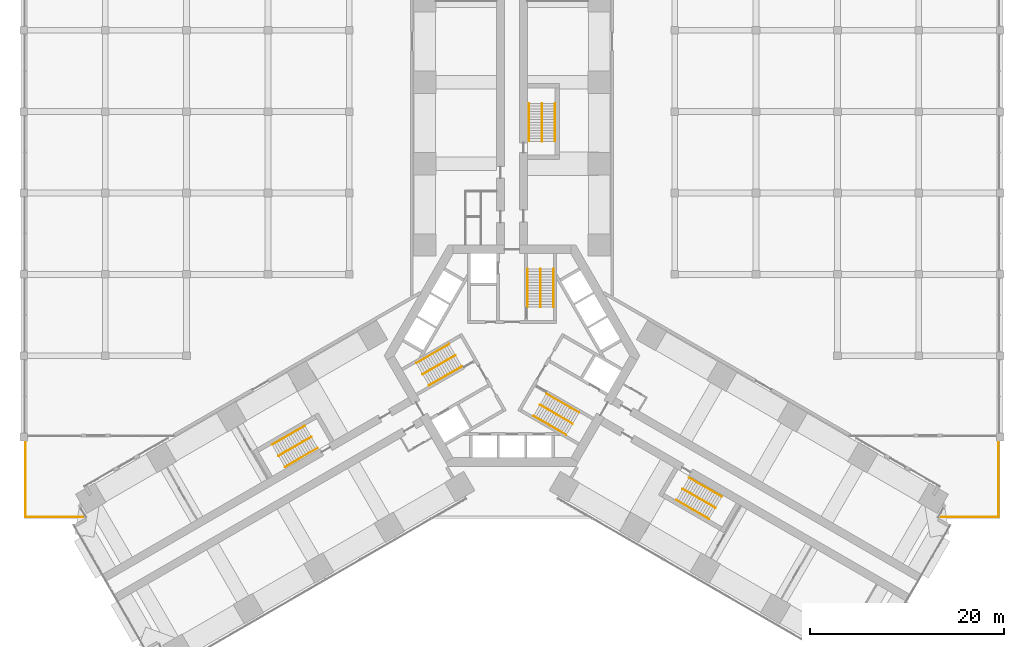
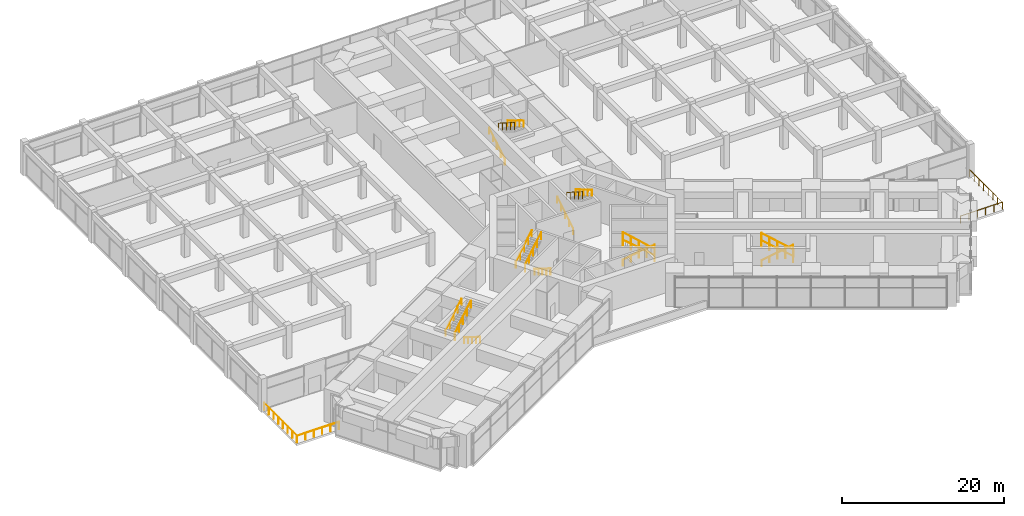
# One storey, part 33 of 33: 20 railings.
"""IFC4 building model written with IfcOpenShell, lengths in metres."""

from ifc_helpers import new_model, si_unit, direction, frame, origin, origin_2d, place, context, subcontext, project, spatial, circle, extrude, material, type_object, element, save


model = new_model("IFC4")

# Units and contexts
model_context = context("Model", 3, precision=1e-05, world=origin(), true_north=direction((0.0, 1.0)))
body_context = subcontext(model_context, "Body", "Model", "MODEL_VIEW")
ifc_project = project(units=[si_unit("LENGTHUNIT", "METRE"), si_unit("AREAUNIT", "SQUARE_METRE"), si_unit("VOLUMEUNIT", "CUBIC_METRE"), si_unit("PLANEANGLEUNIT", "RADIAN"), si_unit("MASSUNIT", "GRAM", prefix="KILO")], contexts=[model_context])

# Site, building, storey
site_placement = place(None, origin())
site = spatial("IfcSite", under=ifc_project, at=site_placement, CompositionType="ELEMENT")
building_placement = place(site_placement, origin())
building = spatial("IfcBuilding", under=site, at=building_placement, Name="Impinga Residences", CompositionType="ELEMENT")
storey_placement = place(building_placement, frame((0.0, 0.0, 21.0)))
storey = spatial("IfcBuildingStorey", under=building, at=storey_placement, Name="L04", CompositionType="ELEMENT", Elevation=21.0)

# Railings
ifc_material_1 = material(Name="Steel guard, powder coated", Category="steel")
railing_type_1 = type_object("IfcRailingType", Name="GR1 stair guard 1100", PredefinedType="GUARDRAIL", material=ifc_material_1)
railing_1_placement = place(storey_placement, frame((2.949951171875, 8.949951171875, 2.5)))
element("IfcRailing", 1, at=railing_1_placement, inside=storey, type_object=railing_type_1, Name="Stair guard GR1 ST1 L04", PredefinedType="GUARDRAIL", context=body_context, shape_type="SweptSolid", body=[
    extrude(circle(Radius=0.02392578125, at=origin_2d()), frame((0.0, 0.0, 1.076171875), z_axis=(0.0, -0.843124831705, 0.537717879712), x_axis=(1.0, 0.0, 0.0)), (0.0, 0.0, 1.0), 4.649169921875),
    extrude(circle(Radius=0.02099609375, at=origin_2d()), origin(), (0.0, 0.0, 1.0), 1.052001953125),
    extrude(circle(Radius=0.02099609375, at=origin_2d()), frame((0.0, -0.97998046875, 0.625)), (0.0, 0.0, 1.0), 1.052001953125),
    extrude(circle(Radius=0.02099609375, at=origin_2d()), frame((0.0, -1.9599609375, 1.25)), (0.0, 0.0, 1.0), 1.052001953125),
    extrude(circle(Radius=0.02099609375, at=origin_2d()), frame((0.0, -2.93994140625, 1.875)), (0.0, 0.0, 1.0), 1.052001953125),
    extrude(circle(Radius=0.02099609375, at=origin_2d()), frame((0.0, -3.919921875, 2.5)), (0.0, 0.0, 1.0), 1.052001953125),
])
railing_2_placement = place(storey_placement, frame((-9.225830078125, -1.920166015625, 2.5)))
element("IfcRailing", 2, at=railing_2_placement, inside=storey, type_object=railing_type_1, Name="Stair guard GR1 ST2 L04", PredefinedType="GUARDRAIL", context=body_context, shape_type="SweptSolid", body=[
    extrude(circle(Radius=0.02392578125, at=origin_2d()), frame((0.0, 0.0, 1.076171875), z_axis=(0.730169879136, 0.421560862259, 0.537715898048), x_axis=(-0.499997407846, 0.86602690036, 0.0)), (0.0, 0.0, 1.0), 4.6494140625),
    extrude(circle(Radius=0.02099609375, at=origin_2d()), origin(), (0.0, 0.0, 1.0), 1.052001953125),
    extrude(circle(Radius=0.02099609375, at=origin_2d()), frame((0.8486328125, 0.489990234375, 0.625)), (0.0, 0.0, 1.0), 1.052001953125),
    extrude(circle(Radius=0.02099609375, at=origin_2d()), frame((1.697265625, 0.97998046875, 1.25)), (0.0, 0.0, 1.0), 1.052001953125),
    extrude(circle(Radius=0.02099609375, at=origin_2d()), frame((2.546142578125, 1.469970703125, 1.875)), (0.0, 0.0, 1.0), 1.052001953125),
    extrude(circle(Radius=0.02099609375, at=origin_2d()), frame((3.394775390625, 1.9599609375, 2.5)), (0.0, 0.0, 1.0), 1.052001953125),
])
railing_3_placement = place(storey_placement, frame((6.27587890625, -7.02978515625, 2.5)))
element("IfcRailing", 3, at=railing_3_placement, inside=storey, type_object=railing_type_1, Name="Stair guard GR1 ST3 L04", PredefinedType="GUARDRAIL", context=body_context, shape_type="SweptSolid", body=[
    extrude(circle(Radius=0.02392578125, at=origin_2d()), frame((0.0, 0.0, 1.076171875), z_axis=(-0.730169879136, 0.421560862259, 0.537715898048), x_axis=(-0.499997407846, -0.86602690036, 0.0)), (0.0, 0.0, 1.0), 4.6494140625),
    extrude(circle(Radius=0.02099609375, at=origin_2d()), origin(), (0.0, 0.0, 1.0), 1.052001953125),
    extrude(circle(Radius=0.02099609375, at=origin_2d()), frame((-0.8486328125, 0.489990234375, 0.625)), (0.0, 0.0, 1.0), 1.052001953125),
    extrude(circle(Radius=0.02099609375, at=origin_2d()), frame((-1.697265625, 0.97998046875, 1.25)), (0.0, 0.0, 1.0), 1.052001953125),
    extrude(circle(Radius=0.02099609375, at=origin_2d()), frame((-2.546142578125, 1.469970703125, 1.875)), (0.0, 0.0, 1.0), 1.052001953125),
    extrude(circle(Radius=0.02099609375, at=origin_2d()), frame((-3.394775390625, 1.9599609375, 2.5)), (0.0, 0.0, 1.0), 1.052001953125),
])
railing_4_placement = place(storey_placement, frame((3.10009765625, 26.051513671875, 2.5)))
element("IfcRailing", 4, at=railing_4_placement, inside=storey, type_object=railing_type_1, Name="Stair guard GR1 WS1 L04", PredefinedType="GUARDRAIL", context=body_context, shape_type="SweptSolid", body=[
    extrude(circle(Radius=0.02392578125, at=origin_2d()), frame((0.0, 0.0, 1.076171875), z_axis=(0.0, -0.843124831705, 0.537717879712), x_axis=(1.0, 0.0, 0.0)), (0.0, 0.0, 1.0), 4.649169921875),
    extrude(circle(Radius=0.02099609375, at=origin_2d()), origin(), (0.0, 0.0, 1.0), 1.052001953125),
    extrude(circle(Radius=0.02099609375, at=origin_2d()), frame((0.0, -0.97998046875, 0.625)), (0.0, 0.0, 1.0), 1.052001953125),
    extrude(circle(Radius=0.02099609375, at=origin_2d()), frame((0.0, -1.9599609375, 1.25)), (0.0, 0.0, 1.0), 1.052001953125),
    extrude(circle(Radius=0.02099609375, at=origin_2d()), frame((0.0, -2.93994140625, 1.875)), (0.0, 0.0, 1.0), 1.052001953125),
    extrude(circle(Radius=0.02099609375, at=origin_2d()), frame((0.0, -3.919921875, 2.5)), (0.0, 0.0, 1.0), 1.052001953125),
])
railing_5_placement = place(storey_placement, frame((-24.111328125, -10.341064453125, 2.5)))
element("IfcRailing", 5, at=railing_5_placement, inside=storey, type_object=railing_type_1, Name="Stair guard GR1 WS2 L04", PredefinedType="GUARDRAIL", context=body_context, shape_type="SweptSolid", body=[
    extrude(circle(Radius=0.02392578125, at=origin_2d()), frame((0.0, 0.0, 1.076171875), z_axis=(0.730169879136, 0.421560862259, 0.537715898048), x_axis=(-0.499997407846, 0.86602690036, 0.0)), (0.0, 0.0, 1.0), 4.6494140625),
    extrude(circle(Radius=0.02099609375, at=origin_2d()), origin(), (0.0, 0.0, 1.0), 1.052001953125),
    extrude(circle(Radius=0.02099609375, at=origin_2d()), frame((0.8486328125, 0.489990234375, 0.625)), (0.0, 0.0, 1.0), 1.052001953125),
    extrude(circle(Radius=0.02099609375, at=origin_2d()), frame((1.697265625, 0.97998046875, 1.25)), (0.0, 0.0, 1.0), 1.052001953125),
    extrude(circle(Radius=0.02099609375, at=origin_2d()), frame((2.546142578125, 1.469970703125, 1.875)), (0.0, 0.0, 1.0), 1.052001953125),
    extrude(circle(Radius=0.02099609375, at=origin_2d()), frame((3.394775390625, 1.9599609375, 2.5)), (0.0, 0.0, 1.0), 1.052001953125),
])
railing_6_placement = place(storey_placement, frame((21.01123046875, -15.71044921875, 2.5)))
element("IfcRailing", 6, at=railing_6_placement, inside=storey, type_object=railing_type_1, Name="Stair guard GR1 WS3 L04", PredefinedType="GUARDRAIL", context=body_context, shape_type="SweptSolid", body=[
    extrude(circle(Radius=0.02392578125, at=origin_2d()), frame((0.0, 0.0, 1.076171875), z_axis=(-0.730169879136, 0.421560862259, 0.537715898048), x_axis=(-0.499997407846, -0.86602690036, 0.0)), (0.0, 0.0, 1.0), 4.6494140625),
    extrude(circle(Radius=0.02099609375, at=origin_2d()), origin(), (0.0, 0.0, 1.0), 1.052001953125),
    extrude(circle(Radius=0.02099609375, at=origin_2d()), frame((-0.8486328125, 0.489990234375, 0.625)), (0.0, 0.0, 1.0), 1.052001953125),
    extrude(circle(Radius=0.02099609375, at=origin_2d()), frame((-1.697265625, 0.97998046875, 1.25)), (0.0, 0.0, 1.0), 1.052001953125),
    extrude(circle(Radius=0.02099609375, at=origin_2d()), frame((-2.546142578125, 1.469970703125, 1.875)), (0.0, 0.0, 1.0), 1.052001953125),
    extrude(circle(Radius=0.02099609375, at=origin_2d()), frame((-3.394775390625, 1.9599609375, 2.5)), (0.0, 0.0, 1.0), 1.052001953125),
])
ifc_material_2 = material(Name="Laminated glass guard, stainless steel top rail", Category="steel")
railing_type_2 = type_object("IfcRailingType", Name="GT1 terrace guard 1100, glass infill", PredefinedType="GUARDRAIL", material=ifc_material_2)
railing_7_placement = place(storey_placement, frame((-44.29150390625, -16.64990234375, 0.0)))
element("IfcRailing", 7, at=railing_7_placement, inside=storey, type_object=railing_type_2, Name="Terrace guard GT1 L04", PredefinedType="GUARDRAIL", context=body_context, shape_type="SweptSolid", body=[
    extrude(circle(Radius=0.02392578125, at=origin_2d()), frame((0.0, 0.0, 1.076171875), z_axis=(-1.0, 0.0, 0.0), x_axis=(0.0, -1.0, 0.0)), (0.0, 0.0, 1.0), 5.95849609375),
    extrude(circle(Radius=0.02392578125, at=origin_2d()), frame((-5.95849609375, 0.0, 1.076171875), z_axis=(0.0, 1.0, 0.0), x_axis=(-1.0, 0.0, 0.0)), (0.0, 0.0, 1.0), 8.098876953125),
    extrude(circle(Radius=0.02099609375, at=origin_2d()), origin(), (0.0, 0.0, 1.0), 1.052001953125),
    extrude(circle(Radius=0.02099609375, at=origin_2d()), frame((-1.191650390625, 0.0, 0.0)), (0.0, 0.0, 1.0), 1.052001953125),
    extrude(circle(Radius=0.02099609375, at=origin_2d()), frame((-2.38330078125, 0.0, 0.0)), (0.0, 0.0, 1.0), 1.052001953125),
    extrude(circle(Radius=0.02099609375, at=origin_2d()), frame((-3.5751953125, 0.0, 0.0)), (0.0, 0.0, 1.0), 1.052001953125),
    extrude(circle(Radius=0.02099609375, at=origin_2d()), frame((-4.766845703125, 0.0, 0.0)), (0.0, 0.0, 1.0), 1.052001953125),
    extrude(circle(Radius=0.02099609375, at=origin_2d()), frame((-5.95849609375, 0.0, 0.0)), (0.0, 0.0, 1.0), 1.052001953125),
    extrude(circle(Radius=0.02099609375, at=origin_2d()), frame((-5.95849609375, 1.156982421875, 0.0)), (0.0, 0.0, 1.0), 1.052001953125),
    extrude(circle(Radius=0.02099609375, at=origin_2d()), frame((-5.95849609375, 2.31396484375, 0.0)), (0.0, 0.0, 1.0), 1.052001953125),
    extrude(circle(Radius=0.02099609375, at=origin_2d()), frame((-5.95849609375, 3.470947265625, 0.0)), (0.0, 0.0, 1.0), 1.052001953125),
    extrude(circle(Radius=0.02099609375, at=origin_2d()), frame((-5.95849609375, 4.6279296875, 0.0)), (0.0, 0.0, 1.0), 1.052001953125),
    extrude(circle(Radius=0.02099609375, at=origin_2d()), frame((-5.95849609375, 5.784912109375, 0.0)), (0.0, 0.0, 1.0), 1.052001953125),
    extrude(circle(Radius=0.02099609375, at=origin_2d()), frame((-5.95849609375, 6.94189453125, 0.0)), (0.0, 0.0, 1.0), 1.052001953125),
    extrude(circle(Radius=0.02099609375, at=origin_2d()), frame((-5.95849609375, 8.098876953125, 0.0)), (0.0, 0.0, 1.0), 1.052001953125),
])
railing_8_placement = place(storey_placement, frame((50.25, -8.551025390625, 0.0)))
element("IfcRailing", 8, at=railing_8_placement, inside=storey, type_object=railing_type_2, Name="Terrace guard GT1 L04", PredefinedType="GUARDRAIL", context=body_context, shape_type="SweptSolid", body=[
    extrude(circle(Radius=0.02392578125, at=origin_2d()), frame((0.0, 0.0, 1.076171875), z_axis=(0.0, -1.0, 0.0), x_axis=(1.0, 0.0, 0.0)), (0.0, 0.0, 1.0), 8.098876953125),
    extrude(circle(Radius=0.02392578125, at=origin_2d()), frame((0.0, -8.098876953125, 1.076171875), z_axis=(-1.0, 0.0, 0.0), x_axis=(0.0, -1.0, 0.0)), (0.0, 0.0, 1.0), 5.95849609375),
    extrude(circle(Radius=0.02099609375, at=origin_2d()), origin(), (0.0, 0.0, 1.0), 1.052001953125),
    extrude(circle(Radius=0.02099609375, at=origin_2d()), frame((0.0, -1.156982421875, 0.0)), (0.0, 0.0, 1.0), 1.052001953125),
    extrude(circle(Radius=0.02099609375, at=origin_2d()), frame((0.0, -2.31396484375, 0.0)), (0.0, 0.0, 1.0), 1.052001953125),
    extrude(circle(Radius=0.02099609375, at=origin_2d()), frame((0.0, -3.470947265625, 0.0)), (0.0, 0.0, 1.0), 1.052001953125),
    extrude(circle(Radius=0.02099609375, at=origin_2d()), frame((0.0, -4.6279296875, 0.0)), (0.0, 0.0, 1.0), 1.052001953125),
    extrude(circle(Radius=0.02099609375, at=origin_2d()), frame((0.0, -5.784912109375, 0.0)), (0.0, 0.0, 1.0), 1.052001953125),
    extrude(circle(Radius=0.02099609375, at=origin_2d()), frame((0.0, -6.94189453125, 0.0)), (0.0, 0.0, 1.0), 1.052001953125),
    extrude(circle(Radius=0.02099609375, at=origin_2d()), frame((0.0, -8.098876953125, 0.0)), (0.0, 0.0, 1.0), 1.052001953125),
    extrude(circle(Radius=0.02099609375, at=origin_2d()), frame((-1.191650390625, -8.098876953125, 0.0)), (0.0, 0.0, 1.0), 1.052001953125),
    extrude(circle(Radius=0.02099609375, at=origin_2d()), frame((-2.38330078125, -8.098876953125, 0.0)), (0.0, 0.0, 1.0), 1.052001953125),
    extrude(circle(Radius=0.02099609375, at=origin_2d()), frame((-3.5751953125, -8.098876953125, 0.0)), (0.0, 0.0, 1.0), 1.052001953125),
    extrude(circle(Radius=0.02099609375, at=origin_2d()), frame((-4.766845703125, -8.098876953125, 0.0)), (0.0, 0.0, 1.0), 1.052001953125),
    extrude(circle(Radius=0.02099609375, at=origin_2d()), frame((-5.95849609375, -8.098876953125, 0.0)), (0.0, 0.0, 1.0), 1.052001953125),
])
ifc_material_3 = material(Name="Steel handrail tube 42 mm, powder coated", Category="steel")
railing_type_3 = type_object("IfcRailingType", Name="HR1 stair handrail, 42 mm steel tube, 900 above the pitch line", PredefinedType="HANDRAIL", material=ifc_material_3)
railing_9_placement = place(storey_placement, frame((1.62109375, 5.030029296875, 0.166748046875)))
element("IfcRailing", 9, at=railing_9_placement, inside=storey, type_object=railing_type_3, Name="Stair handrail HR1 ST1 L04", PredefinedType="HANDRAIL", context=body_context, shape_type="SweptSolid", body=[
    extrude(circle(Radius=0.02099609375, at=origin_2d()), frame((0.0, 0.0, 0.87890625), z_axis=(0.0, 0.859296244711, 0.511478214419), x_axis=(-1.0, 0.0, 0.0)), (0.0, 0.0, 1.0), 4.561767578125),
    extrude(circle(Radius=0.012451171875, at=origin_2d()), origin(), (0.0, 0.0, 1.0), 0.85791015625),
    extrude(circle(Radius=0.012451171875, at=origin_2d()), frame((0.0, 0.97998046875, 0.583251953125)), (0.0, 0.0, 1.0), 0.85791015625),
    extrude(circle(Radius=0.012451171875, at=origin_2d()), frame((0.0, 1.9599609375, 1.16650390625)), (0.0, 0.0, 1.0), 0.85791015625),
    extrude(circle(Radius=0.012451171875, at=origin_2d()), frame((0.0, 2.93994140625, 1.75)), (0.0, 0.0, 1.0), 0.85791015625),
    extrude(circle(Radius=0.012451171875, at=origin_2d()), frame((0.0, 3.919921875, 2.333251953125)), (0.0, 0.0, 1.0), 0.85791015625),
])
railing_10_placement = place(storey_placement, frame((4.279052734375, 8.949951171875, 2.666748046875)))
element("IfcRailing", 10, at=railing_10_placement, inside=storey, type_object=railing_type_3, Name="Stair handrail HR1 ST1 L04", PredefinedType="HANDRAIL", context=body_context, shape_type="SweptSolid", body=[
    extrude(circle(Radius=0.02099609375, at=origin_2d()), frame((0.0, 0.0, 0.87890625), z_axis=(0.0, -0.859296244711, 0.511478214419), x_axis=(1.0, 0.0, 0.0)), (0.0, 0.0, 1.0), 4.561767578125),
    extrude(circle(Radius=0.012451171875, at=origin_2d()), origin(), (0.0, 0.0, 1.0), 0.85791015625),
    extrude(circle(Radius=0.012451171875, at=origin_2d()), frame((0.0, -0.97998046875, 0.583251953125)), (0.0, 0.0, 1.0), 0.85791015625),
    extrude(circle(Radius=0.012451171875, at=origin_2d()), frame((0.0, -1.9599609375, 1.16650390625)), (0.0, 0.0, 1.0), 0.85791015625),
    extrude(circle(Radius=0.012451171875, at=origin_2d()), frame((0.0, -2.93994140625, 1.75)), (0.0, 0.0, 1.0), 0.85791015625),
    extrude(circle(Radius=0.012451171875, at=origin_2d()), frame((0.0, -3.919921875, 2.333251953125)), (0.0, 0.0, 1.0), 0.85791015625),
])
railing_11_placement = place(storey_placement, frame((-5.16650390625, -1.111083984375, 0.166748046875)))
element("IfcRailing", 11, at=railing_11_placement, inside=storey, type_object=railing_type_3, Name="Stair handrail HR1 ST2 L04", PredefinedType="HANDRAIL", context=body_context, shape_type="SweptSolid", body=[
    extrude(circle(Radius=0.02099609375, at=origin_2d()), frame((0.0, 0.0, 0.87890625), z_axis=(-0.744181440101, -0.429673003205, 0.511444126495), x_axis=(0.500017148795, -0.866015502696, 0.0)), (0.0, 0.0, 1.0), 4.56201171875),
    extrude(circle(Radius=0.012451171875, at=origin_2d()), origin(), (0.0, 0.0, 1.0), 0.85791015625),
    extrude(circle(Radius=0.012451171875, at=origin_2d()), frame((-0.8486328125, -0.489990234375, 0.583251953125)), (0.0, 0.0, 1.0), 0.85791015625),
    extrude(circle(Radius=0.012451171875, at=origin_2d()), frame((-1.697509765625, -0.97998046875, 1.16650390625)), (0.0, 0.0, 1.0), 0.85791015625),
    extrude(circle(Radius=0.012451171875, at=origin_2d()), frame((-2.54638671875, -1.47021484375, 1.75)), (0.0, 0.0, 1.0), 0.85791015625),
    extrude(circle(Radius=0.012451171875, at=origin_2d()), frame((-3.39501953125, -1.960205078125, 2.333251953125)), (0.0, 0.0, 1.0), 0.85791015625),
])
railing_12_placement = place(storey_placement, frame((-9.890380859375, -0.769287109375, 2.666748046875)))
element("IfcRailing", 12, at=railing_12_placement, inside=storey, type_object=railing_type_3, Name="Stair handrail HR1 ST2 L04", PredefinedType="HANDRAIL", context=body_context, shape_type="SweptSolid", body=[
    extrude(circle(Radius=0.02099609375, at=origin_2d()), frame((0.0, 0.0, 0.87890625), z_axis=(0.744174672596, 0.429646477641, 0.511476256455), x_axis=(-0.499997407846, 0.86602690036, 0.0)), (0.0, 0.0, 1.0), 4.561767578125),
    extrude(circle(Radius=0.012451171875, at=origin_2d()), origin(), (0.0, 0.0, 1.0), 0.85791015625),
    extrude(circle(Radius=0.012451171875, at=origin_2d()), frame((0.8486328125, 0.489990234375, 0.583251953125)), (0.0, 0.0, 1.0), 0.85791015625),
    extrude(circle(Radius=0.012451171875, at=origin_2d()), frame((1.697265625, 0.97998046875, 1.16650390625)), (0.0, 0.0, 1.0), 0.85791015625),
    extrude(circle(Radius=0.012451171875, at=origin_2d()), frame((2.546142578125, 1.469970703125, 1.75)), (0.0, 0.0, 1.0), 0.85791015625),
    extrude(circle(Radius=0.012451171875, at=origin_2d()), frame((3.394775390625, 1.9599609375, 2.333251953125)), (0.0, 0.0, 1.0), 0.85791015625),
])
railing_13_placement = place(storey_placement, frame((3.545654296875, -3.9189453125, 0.166748046875)))
element("IfcRailing", 13, at=railing_13_placement, inside=storey, type_object=railing_type_3, Name="Stair handrail HR1 ST3 L04", PredefinedType="HANDRAIL", context=body_context, shape_type="SweptSolid", body=[
    extrude(circle(Radius=0.02099609375, at=origin_2d()), frame((0.0, 0.0, 0.87890625), z_axis=(0.744174672596, -0.429646477641, 0.511476256455), x_axis=(0.499997407846, 0.86602690036, 0.0)), (0.0, 0.0, 1.0), 4.561767578125),
    extrude(circle(Radius=0.012451171875, at=origin_2d()), origin(), (0.0, 0.0, 1.0), 0.85791015625),
    extrude(circle(Radius=0.012451171875, at=origin_2d()), frame((0.8486328125, -0.489990234375, 0.583251953125)), (0.0, 0.0, 1.0), 0.85791015625),
    extrude(circle(Radius=0.012451171875, at=origin_2d()), frame((1.697265625, -0.97998046875, 1.16650390625)), (0.0, 0.0, 1.0), 0.85791015625),
    extrude(circle(Radius=0.012451171875, at=origin_2d()), frame((2.546142578125, -1.469970703125, 1.75)), (0.0, 0.0, 1.0), 0.85791015625),
    extrude(circle(Radius=0.012451171875, at=origin_2d()), frame((3.394775390625, -1.9599609375, 2.333251953125)), (0.0, 0.0, 1.0), 0.85791015625),
])
railing_14_placement = place(storey_placement, frame((5.611328125, -8.1806640625, 2.666748046875)))
element("IfcRailing", 14, at=railing_14_placement, inside=storey, type_object=railing_type_3, Name="Stair handrail HR1 ST3 L04", PredefinedType="HANDRAIL", context=body_context, shape_type="SweptSolid", body=[
    extrude(circle(Radius=0.02099609375, at=origin_2d()), frame((0.0, 0.0, 0.87890625), z_axis=(-0.744174672596, 0.429646477641, 0.511476256455), x_axis=(-0.499997407846, -0.86602690036, 0.0)), (0.0, 0.0, 1.0), 4.561767578125),
    extrude(circle(Radius=0.012451171875, at=origin_2d()), origin(), (0.0, 0.0, 1.0), 0.85791015625),
    extrude(circle(Radius=0.012451171875, at=origin_2d()), frame((-0.8486328125, 0.489990234375, 0.583251953125)), (0.0, 0.0, 1.0), 0.85791015625),
    extrude(circle(Radius=0.012451171875, at=origin_2d()), frame((-1.697265625, 0.97998046875, 1.16650390625)), (0.0, 0.0, 1.0), 0.85791015625),
    extrude(circle(Radius=0.012451171875, at=origin_2d()), frame((-2.546142578125, 1.469970703125, 1.75)), (0.0, 0.0, 1.0), 0.85791015625),
    extrude(circle(Radius=0.012451171875, at=origin_2d()), frame((-3.394775390625, 1.9599609375, 2.333251953125)), (0.0, 0.0, 1.0), 0.85791015625),
])
railing_15_placement = place(storey_placement, frame((1.77099609375, 22.131591796875, 0.166748046875)))
element("IfcRailing", 15, at=railing_15_placement, inside=storey, type_object=railing_type_3, Name="Stair handrail HR1 WS1 L04", PredefinedType="HANDRAIL", context=body_context, shape_type="SweptSolid", body=[
    extrude(circle(Radius=0.02099609375, at=origin_2d()), frame((0.0, 0.0, 0.87890625), z_axis=(0.0, 0.859296244711, 0.511478214419), x_axis=(-1.0, 0.0, 0.0)), (0.0, 0.0, 1.0), 4.561767578125),
    extrude(circle(Radius=0.012451171875, at=origin_2d()), origin(), (0.0, 0.0, 1.0), 0.85791015625),
    extrude(circle(Radius=0.012451171875, at=origin_2d()), frame((0.0, 0.97998046875, 0.583251953125)), (0.0, 0.0, 1.0), 0.85791015625),
    extrude(circle(Radius=0.012451171875, at=origin_2d()), frame((0.0, 1.9599609375, 1.16650390625)), (0.0, 0.0, 1.0), 0.85791015625),
    extrude(circle(Radius=0.012451171875, at=origin_2d()), frame((0.0, 2.93994140625, 1.75)), (0.0, 0.0, 1.0), 0.85791015625),
    extrude(circle(Radius=0.012451171875, at=origin_2d()), frame((0.0, 3.919921875, 2.333251953125)), (0.0, 0.0, 1.0), 0.85791015625),
])
railing_16_placement = place(storey_placement, frame((4.428955078125, 26.051513671875, 2.666748046875)))
element("IfcRailing", 16, at=railing_16_placement, inside=storey, type_object=railing_type_3, Name="Stair handrail HR1 WS1 L04", PredefinedType="HANDRAIL", context=body_context, shape_type="SweptSolid", body=[
    extrude(circle(Radius=0.02099609375, at=origin_2d()), frame((0.0, 0.0, 0.87890625), z_axis=(0.0, -0.859296244711, 0.511478214419), x_axis=(1.0, 0.0, 0.0)), (0.0, 0.0, 1.0), 4.561767578125),
    extrude(circle(Radius=0.012451171875, at=origin_2d()), origin(), (0.0, 0.0, 1.0), 0.85791015625),
    extrude(circle(Radius=0.012451171875, at=origin_2d()), frame((0.0, -0.97998046875, 0.583251953125)), (0.0, 0.0, 1.0), 0.85791015625),
    extrude(circle(Radius=0.012451171875, at=origin_2d()), frame((0.0, -1.9599609375, 1.16650390625)), (0.0, 0.0, 1.0), 0.85791015625),
    extrude(circle(Radius=0.012451171875, at=origin_2d()), frame((0.0, -2.93994140625, 1.75)), (0.0, 0.0, 1.0), 0.85791015625),
    extrude(circle(Radius=0.012451171875, at=origin_2d()), frame((0.0, -3.919921875, 2.333251953125)), (0.0, 0.0, 1.0), 0.85791015625),
])
railing_17_placement = place(storey_placement, frame((-20.052001953125, -9.531982421875, 0.166748046875)))
element("IfcRailing", 17, at=railing_17_placement, inside=storey, type_object=railing_type_3, Name="Stair handrail HR1 WS2 L04", PredefinedType="HANDRAIL", context=body_context, shape_type="SweptSolid", body=[
    extrude(circle(Radius=0.02099609375, at=origin_2d()), frame((0.0, 0.0, 0.87890625), z_axis=(-0.744174672596, -0.429646477641, 0.511476256455), x_axis=(0.499997407846, -0.86602690036, 0.0)), (0.0, 0.0, 1.0), 4.561767578125),
    extrude(circle(Radius=0.012451171875, at=origin_2d()), origin(), (0.0, 0.0, 1.0), 0.85791015625),
    extrude(circle(Radius=0.012451171875, at=origin_2d()), frame((-0.8486328125, -0.489990234375, 0.583251953125)), (0.0, 0.0, 1.0), 0.85791015625),
    extrude(circle(Radius=0.012451171875, at=origin_2d()), frame((-1.697265625, -0.97998046875, 1.16650390625)), (0.0, 0.0, 1.0), 0.85791015625),
    extrude(circle(Radius=0.012451171875, at=origin_2d()), frame((-2.546142578125, -1.469970703125, 1.75)), (0.0, 0.0, 1.0), 0.85791015625),
    extrude(circle(Radius=0.012451171875, at=origin_2d()), frame((-3.394775390625, -1.9599609375, 2.333251953125)), (0.0, 0.0, 1.0), 0.85791015625),
])
railing_18_placement = place(storey_placement, frame((-24.77587890625, -9.190185546875, 2.666748046875)))
element("IfcRailing", 18, at=railing_18_placement, inside=storey, type_object=railing_type_3, Name="Stair handrail HR1 WS2 L04", PredefinedType="HANDRAIL", context=body_context, shape_type="SweptSolid", body=[
    extrude(circle(Radius=0.02099609375, at=origin_2d()), frame((0.0, 0.0, 0.87890625), z_axis=(0.744198551339, 0.429629366471, 0.511455886319), x_axis=(-0.499970440388, 0.866042469362, 0.0)), (0.0, 0.0, 1.0), 4.56201171875),
    extrude(circle(Radius=0.012451171875, at=origin_2d()), origin(), (0.0, 0.0, 1.0), 0.85791015625),
    extrude(circle(Radius=0.012451171875, at=origin_2d()), frame((0.8486328125, 0.489990234375, 0.583251953125)), (0.0, 0.0, 1.0), 0.85791015625),
    extrude(circle(Radius=0.012451171875, at=origin_2d()), frame((1.697509765625, 0.97998046875, 1.16650390625)), (0.0, 0.0, 1.0), 0.85791015625),
    extrude(circle(Radius=0.012451171875, at=origin_2d()), frame((2.54638671875, 1.469970703125, 1.75)), (0.0, 0.0, 1.0), 0.85791015625),
    extrude(circle(Radius=0.012451171875, at=origin_2d()), frame((3.39501953125, 1.9599609375, 2.333251953125)), (0.0, 0.0, 1.0), 0.85791015625),
])
railing_19_placement = place(storey_placement, frame((18.281005859375, -12.599609375, 0.166748046875)))
element("IfcRailing", 19, at=railing_19_placement, inside=storey, type_object=railing_type_3, Name="Stair handrail HR1 WS3 L04", PredefinedType="HANDRAIL", context=body_context, shape_type="SweptSolid", body=[
    extrude(circle(Radius=0.02099609375, at=origin_2d()), frame((0.0, 0.0, 0.87890625), z_axis=(0.744174672596, -0.429646477641, 0.511476256455), x_axis=(0.499997407846, 0.86602690036, 0.0)), (0.0, 0.0, 1.0), 4.561767578125),
    extrude(circle(Radius=0.012451171875, at=origin_2d()), origin(), (0.0, 0.0, 1.0), 0.85791015625),
    extrude(circle(Radius=0.012451171875, at=origin_2d()), frame((0.8486328125, -0.489990234375, 0.583251953125)), (0.0, 0.0, 1.0), 0.85791015625),
    extrude(circle(Radius=0.012451171875, at=origin_2d()), frame((1.697265625, -0.97998046875, 1.16650390625)), (0.0, 0.0, 1.0), 0.85791015625),
    extrude(circle(Radius=0.012451171875, at=origin_2d()), frame((2.546142578125, -1.469970703125, 1.75)), (0.0, 0.0, 1.0), 0.85791015625),
    extrude(circle(Radius=0.012451171875, at=origin_2d()), frame((3.394775390625, -1.9599609375, 2.333251953125)), (0.0, 0.0, 1.0), 0.85791015625),
])
railing_20_placement = place(storey_placement, frame((20.3466796875, -16.861328125, 2.666748046875)))
element("IfcRailing", 20, at=railing_20_placement, inside=storey, type_object=railing_type_3, Name="Stair handrail HR1 WS3 L04", PredefinedType="HANDRAIL", context=body_context, shape_type="SweptSolid", body=[
    extrude(circle(Radius=0.02099609375, at=origin_2d()), frame((0.0, 0.0, 0.87890625), z_axis=(-0.744174672596, 0.429646477641, 0.511476256455), x_axis=(-0.499997407846, -0.86602690036, 0.0)), (0.0, 0.0, 1.0), 4.561767578125),
    extrude(circle(Radius=0.012451171875, at=origin_2d()), origin(), (0.0, 0.0, 1.0), 0.85791015625),
    extrude(circle(Radius=0.012451171875, at=origin_2d()), frame((-0.8486328125, 0.489990234375, 0.583251953125)), (0.0, 0.0, 1.0), 0.85791015625),
    extrude(circle(Radius=0.012451171875, at=origin_2d()), frame((-1.697265625, 0.97998046875, 1.16650390625)), (0.0, 0.0, 1.0), 0.85791015625),
    extrude(circle(Radius=0.012451171875, at=origin_2d()), frame((-2.546142578125, 1.469970703125, 1.75)), (0.0, 0.0, 1.0), 0.85791015625),
    extrude(circle(Radius=0.012451171875, at=origin_2d()), frame((-3.394775390625, 1.9599609375, 2.333251953125)), (0.0, 0.0, 1.0), 0.85791015625),
])

save(model, "model.ifc")
